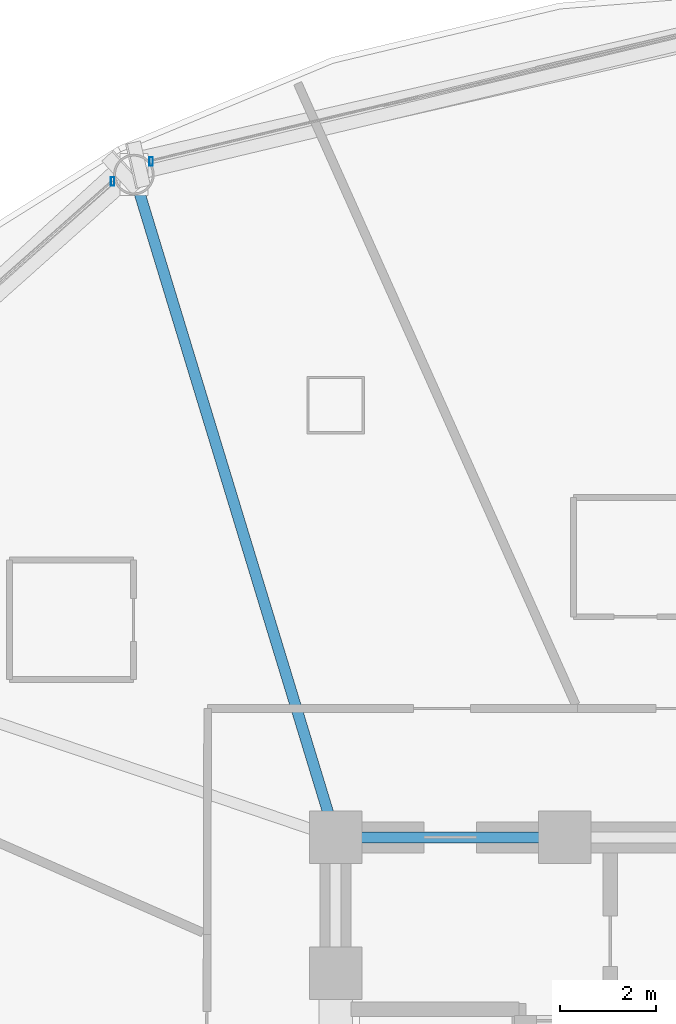
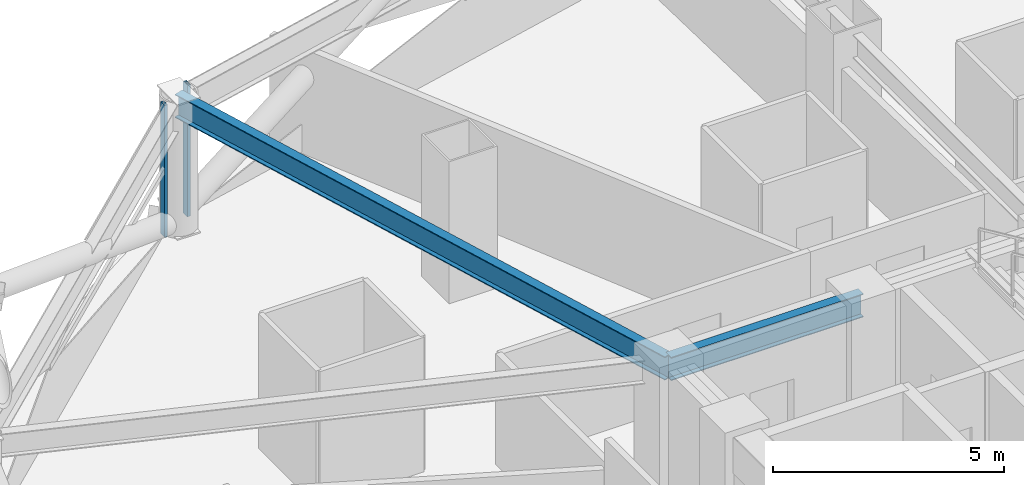
# One storey, part 15 of 33: 2 beams, 2 members, 2 elements without a shape of their own.
"""IFC4 building model written with IfcOpenShell, lengths in metres."""

from ifc_helpers import new_model, si_unit, direction, frame, origin, origin_2d, place, context, subcontext, project, spatial, hollow_rectangle, i_section, extrude, material, layer, layer_set, material_profile, profile_set, type_object, element, aggregate, save


model = new_model("IFC4")

# Units and contexts
model_context = context("Model", 3, precision=1e-05, world=origin(), true_north=direction((0.0, 1.0)))
body_context = subcontext(model_context, "Body", "Model", "MODEL_VIEW")
ifc_project = project(units=[si_unit("LENGTHUNIT", "METRE"), si_unit("AREAUNIT", "SQUARE_METRE"), si_unit("VOLUMEUNIT", "CUBIC_METRE"), si_unit("PLANEANGLEUNIT", "RADIAN"), si_unit("MASSUNIT", "GRAM", prefix="KILO")], contexts=[model_context])

# Site, building, storey
site_placement = place(None, origin())
site = spatial("IfcSite", under=ifc_project, at=site_placement, CompositionType="ELEMENT")
building_placement = place(site_placement, origin())
building = spatial("IfcBuilding", under=site, at=building_placement, Name="Vantalir Tower", CompositionType="ELEMENT")
storey_placement = place(building_placement, frame((0.0, 0.0, 72.0)))
storey = spatial("IfcBuildingStorey", under=building, at=storey_placement, Name="L17", CompositionType="ELEMENT", Elevation=72.0)

# Beams
ifc_material_1 = material(Name="Steel S355", Category="steel")
ifc_material_profile_1 = material_profile(ifc_material_1, i_section(OverallWidth=0.22998046875, OverallDepth=0.616943359375, WebThickness=0.01318359375, FlangeThickness=0.022216796875, at=origin_2d()), Name="Steel S355")
ifc_profile_set_1 = profile_set([ifc_material_profile_1], Name="Steel S355")
beam_type = type_object("IfcBeamType", Name="BM-RB-610x229", PredefinedType="BEAM", material=ifc_profile_set_1)
beam_1_placement = place(storey_placement, frame((26.699951171875, 32.449951171875, 3.261962890625), z_axis=(-1.0, 0.0, 0.0), x_axis=(0.0, -1.0, 0.0)))
element("IfcBeam", 1, at=beam_1_placement, inside=storey, type_object=beam_type, Name="L17 Core Coupling Girder 11", PredefinedType="BEAM", context=body_context, shape_type="SweptSolid", body=[
    extrude(i_section(OverallWidth=0.22998046875, OverallDepth=0.616943359375, WebThickness=0.01318359375, FlangeThickness=0.022216796875, at=origin_2d()), origin(), (0.0, 0.0, 1.0), 4.800048828125),
])
beam_2_placement = place(storey_placement, frame((17.675048828125, 46.3291015625, 3.261962890625), z_axis=(0.29120982872, -0.956659205599, 0.0), x_axis=(0.956659205599, 0.29120982872, 0.0)))
element("IfcBeam", 2, at=beam_2_placement, inside=storey, type_object=beam_type, Name="L17 Radial Floor Beam 05", PredefinedType="BEAM", context=body_context, shape_type="SweptSolid", body=[
    extrude(i_section(OverallWidth=0.22998046875, OverallDepth=0.616943359375, WebThickness=0.01318359375, FlangeThickness=0.022216796875, at=origin_2d()), origin(), (0.0, 0.0, 1.0), 14.508056640625),
])

# Curtain wall, member
ifc_material_2 = material(Name="Champagne-silver PVDF aluminium and double-silver Low-E glass", Category="aluminium")
ifc_layer = layer(ifc_material_2, 0.18994140625)
ifc_layer_set = layer_set([ifc_layer], Name="Champagne-silver PVDF aluminium and double-silver Low-E glass")
curtain_wall_type = type_object("IfcCurtainWallType", Name="CW-DIAMOND-Z1", PredefinedType="USERDEFINED", material=ifc_layer_set)
curtain_wall_1_placement = place(storey_placement, origin())
curtain_wall_1 = element("IfcCurtainWall", 3, at=curtain_wall_1_placement, inside=storey, type_object=curtain_wall_type, Name="L17 Quilted Pyramid-Diamond Curtain Wall S04", ObjectType="UNITISED CURTAIN WALL", PredefinedType="USERDEFINED")
ifc_material_3 = material(Name="Champagne-silver PVDF aluminium 6063-T6", Category="aluminium")
ifc_material_profile_2 = material_profile(ifc_material_3, hollow_rectangle(XDim=0.074951171875, YDim=0.179931640625, WallThickness=0.00390625, at=origin_2d()), Name="Champagne-silver PVDF aluminium 6063-T6")
ifc_profile_set_2 = profile_set([ifc_material_profile_2], Name="Champagne-silver PVDF aluminium 6063-T6")
member_type = type_object("IfcMemberType", Name="CWM-180x75", PredefinedType="MULLION", material=ifc_profile_set_2)
member_1_placement = place(storey_placement, frame((18.037109375, 46.60302734375, 0.044921875), z_axis=(0.0, 0.0, 1.0), x_axis=(1.0, 0.0, 0.0)))
member_1 = element("IfcMember", 4, at=member_1_placement, type_object=member_type, Name="CW-L17-S04 Mullion 2", PredefinedType="MULLION", context=body_context, shape_type="SweptSolid", body=[
    extrude(hollow_rectangle(XDim=0.074951171875, YDim=0.179931640625, WallThickness=0.00390625, at=origin_2d()), origin(), (0.0, 0.0, 1.0), 3.47998046875),
])
aggregate(curtain_wall_1, [member_1])

curtain_wall_2_placement = place(storey_placement, origin())
curtain_wall_2 = element("IfcCurtainWall", 5, at=curtain_wall_2_placement, inside=storey, type_object=curtain_wall_type, Name="L17 Quilted Pyramid-Diamond Curtain Wall S05", ObjectType="UNITISED CURTAIN WALL", PredefinedType="USERDEFINED")
member_2_placement = place(storey_placement, frame((17.22900390625, 46.180908203125, 0.044921875), z_axis=(0.0, 0.0, 1.0), x_axis=(1.0, 0.0, 0.0)))
member_2 = element("IfcMember", 6, at=member_2_placement, type_object=member_type, Name="CW-L17-S05 Mullion 1", PredefinedType="MULLION", context=body_context, shape_type="SweptSolid", body=[
    extrude(hollow_rectangle(XDim=0.074951171875, YDim=0.179931640625, WallThickness=0.00390625, at=origin_2d()), origin(), (0.0, 0.0, 1.0), 3.47998046875),
])
aggregate(curtain_wall_2, [member_2])

save(model, "model.ifc")
